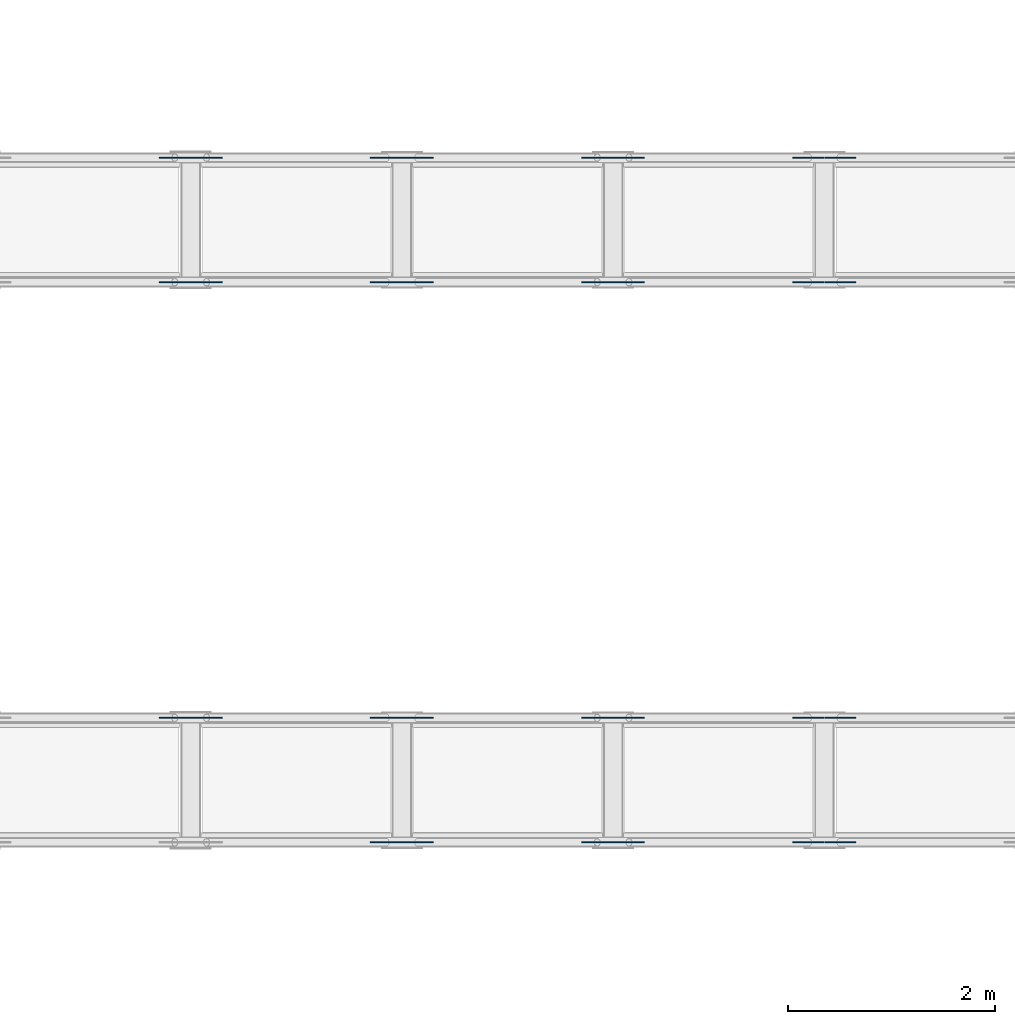
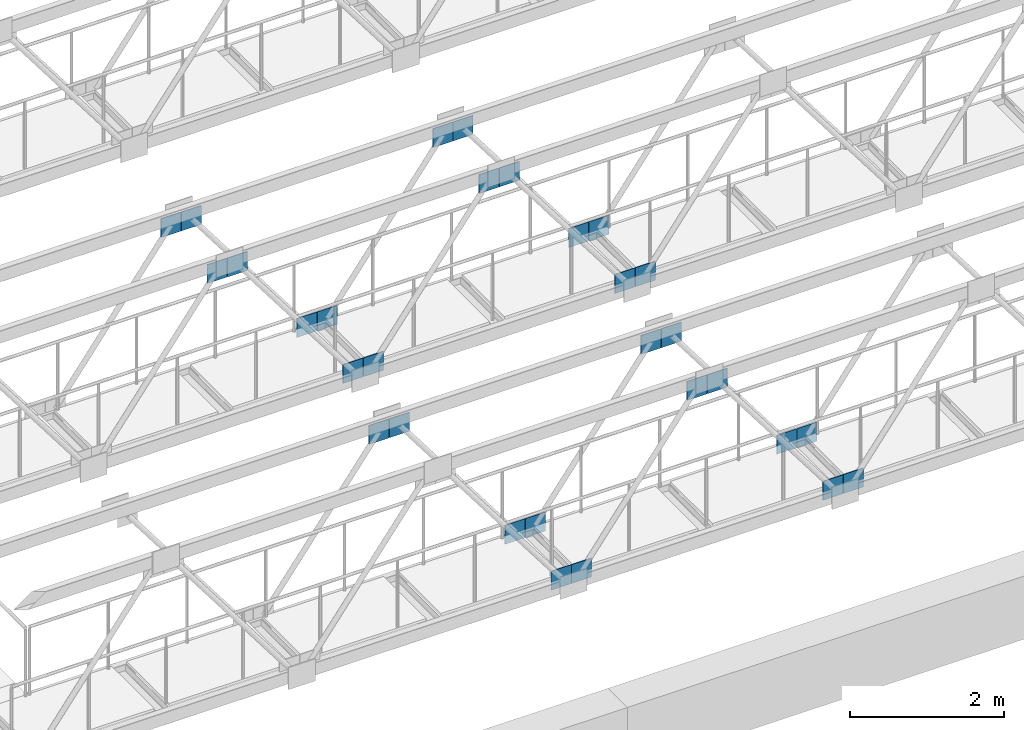
# One storey, part 41 of 70: 30 discrete accessories.
"""IFC4 building model written with IfcOpenShell, lengths in metres."""

from ifc_helpers import new_model, si_unit, direction, frame, origin, origin_2d, place, context, subcontext, project, spatial, rectangle, extrude, material, material_profile, profile_set, type_object, element, save


model = new_model("IFC4")

# Units and contexts
model_context = context("Model", 3, precision=1e-05, world=origin(), true_north=direction((0.0, 1.0)))
body_context = subcontext(model_context, "Body", "Model", "MODEL_VIEW")
ifc_project = project(units=[si_unit("LENGTHUNIT", "METRE"), si_unit("AREAUNIT", "SQUARE_METRE"), si_unit("VOLUMEUNIT", "CUBIC_METRE"), si_unit("PLANEANGLEUNIT", "RADIAN"), si_unit("MASSUNIT", "GRAM", prefix="KILO")], contexts=[model_context])

# Site, building, storey
site_placement = place(None, origin())
site = spatial("IfcSite", under=ifc_project, at=site_placement, CompositionType="ELEMENT")
building_placement = place(site_placement, origin())
building = spatial("IfcBuilding", under=site, at=building_placement, Name="Saffron Lane Theatres", CompositionType="ELEMENT")
storey_placement = place(building_placement, frame((0.0, 0.0, 12.0)))
storey = spatial("IfcBuildingStorey", under=building, at=storey_placement, Name="L02", CompositionType="ELEMENT", Elevation=12.0)

# Discrete accessories
ifc_material = material(Name="Steel Grade 350", Category="steel")
ifc_material_profile = material_profile(ifc_material, rectangle(XDim=0.300048828125, YDim=0.300048828125, at=origin_2d()))
ifc_profile_set = profile_set([ifc_material_profile], Name="Steel Grade 350")
discrete_accessory_type = type_object("IfcDiscreteAccessoryType", Name="ST-GUSSET CONNECTION PLATE", PredefinedType="BRACKET", material=ifc_profile_set)
for number, where, z_axis, x_axis, name in (
    (1, (26.740234375, 56.9951171875, 4.48291015625), (0.0, 1.0, 0.0), (-1.0, 0.0, 0.0), "GB432"),
    (2, (27.045654296875, 56.9951171875, 4.48291015625), (0.0, 1.0, 0.0), (-1.0, 0.0, 0.0), "GB433"),
    (3, (28.77587890625, 56.9951171875, 6.777099609375), (0.0, 1.0, 0.0), (-1.0, 0.0, 0.0), "GB434"),
    (4, (29.081298828125, 56.9951171875, 6.777099609375), (0.0, 1.0, 0.0), (-1.0, 0.0, 0.0), "GB435"),
    (5, (30.8115234375, 56.9951171875, 4.48291015625), (0.0, 1.0, 0.0), (-1.0, 0.0, 0.0), "GB436"),
    (6, (31.116943359375, 56.9951171875, 4.48291015625), (0.0, 1.0, 0.0), (-1.0, 0.0, 0.0), "GB437"),
):
    element("IfcDiscreteAccessory", number, at=place(storey_placement, frame(where, z_axis=z_axis, x_axis=x_axis)), inside=storey, type_object=discrete_accessory_type, Name=name, PredefinedType="BRACKET", context=body_context, shape_type="SweptSolid", body=[
        extrude(rectangle(XDim=0.300048828125, YDim=0.300048828125, at=origin_2d()), origin(), (0.0, 0.0, 1.0), 0.009765625),
    ])
for number, where, z_axis, x_axis, name in (
    (7, (24.704345703125, 58.195068359375, 6.777099609375), (0.0, 1.0, 0.0), (-1.0, 0.0, 0.0), "GB456"),
    (8, (25.009765625, 58.195068359375, 6.777099609375), (0.0, 1.0, 0.0), (-1.0, 0.0, 0.0), "GB457"),
    (9, (26.740234375, 58.195068359375, 4.48291015625), (0.0, 1.0, 0.0), (-1.0, 0.0, 0.0), "GB458"),
    (10, (27.045654296875, 58.195068359375, 4.48291015625), (0.0, 1.0, 0.0), (-1.0, 0.0, 0.0), "GB459"),
    (11, (28.77587890625, 58.195068359375, 6.777099609375), (0.0, 1.0, 0.0), (-1.0, 0.0, 0.0), "GB460"),
    (12, (29.081298828125, 58.195068359375, 6.777099609375), (0.0, 1.0, 0.0), (-1.0, 0.0, 0.0), "GB461"),
    (13, (30.8115234375, 58.195068359375, 4.48291015625), (0.0, 1.0, 0.0), (-1.0, 0.0, 0.0), "GB462"),
    (14, (31.116943359375, 58.195068359375, 4.48291015625), (0.0, 1.0, 0.0), (-1.0, 0.0, 0.0), "GB463"),
    (15, (24.704345703125, 62.39501953125, 6.777099609375), (0.0, 1.0, 0.0), (-1.0, 0.0, 0.0), "GB480"),
    (16, (25.009765625, 62.39501953125, 6.777099609375), (0.0, 1.0, 0.0), (-1.0, 0.0, 0.0), "GB481"),
    (17, (26.740234375, 62.39501953125, 4.48291015625), (0.0, 1.0, 0.0), (-1.0, 0.0, 0.0), "GB482"),
    (18, (27.045654296875, 62.39501953125, 4.48291015625), (0.0, 1.0, 0.0), (-1.0, 0.0, 0.0), "GB483"),
    (19, (28.77587890625, 62.39501953125, 6.777099609375), (0.0, 1.0, 0.0), (-1.0, 0.0, 0.0), "GB484"),
    (20, (29.081298828125, 62.39501953125, 6.777099609375), (0.0, 1.0, 0.0), (-1.0, 0.0, 0.0), "GB485"),
    (21, (30.8115234375, 62.39501953125, 4.48291015625), (0.0, 1.0, 0.0), (-1.0, 0.0, 0.0), "GB486"),
    (22, (31.116943359375, 62.39501953125, 4.48291015625), (0.0, 1.0, 0.0), (-1.0, 0.0, 0.0), "GB487"),
    (23, (24.704345703125, 63.594970703125, 6.777099609375), (0.0, 1.0, 0.0), (-1.0, 0.0, 0.0), "GB504"),
    (24, (25.009765625, 63.594970703125, 6.777099609375), (0.0, 1.0, 0.0), (-1.0, 0.0, 0.0), "GB505"),
    (25, (26.740234375, 63.594970703125, 4.48291015625), (0.0, 1.0, 0.0), (-1.0, 0.0, 0.0), "GB506"),
    (26, (27.045654296875, 63.594970703125, 4.48291015625), (0.0, 1.0, 0.0), (-1.0, 0.0, 0.0), "GB507"),
    (27, (28.77587890625, 63.594970703125, 6.777099609375), (0.0, 1.0, 0.0), (-1.0, 0.0, 0.0), "GB508"),
    (28, (29.081298828125, 63.594970703125, 6.777099609375), (0.0, 1.0, 0.0), (-1.0, 0.0, 0.0), "GB509"),
    (29, (30.8115234375, 63.594970703125, 4.48291015625), (0.0, 1.0, 0.0), (-1.0, 0.0, 0.0), "GB510"),
    (30, (31.116943359375, 63.594970703125, 4.48291015625), (0.0, 1.0, 0.0), (-1.0, 0.0, 0.0), "GB511"),
):
    element("IfcDiscreteAccessory", number, at=place(storey_placement, frame(where, z_axis=z_axis, x_axis=x_axis)), inside=storey, type_object=discrete_accessory_type, Name=name, PredefinedType="BRACKET", context=body_context, shape_type="SweptSolid", body=[
        extrude(rectangle(XDim=0.300048828125, YDim=0.300048828125, at=origin_2d()), origin(), (0.0, 0.0, 1.0), 0.010009765625),
    ])

save(model, "model.ifc")
